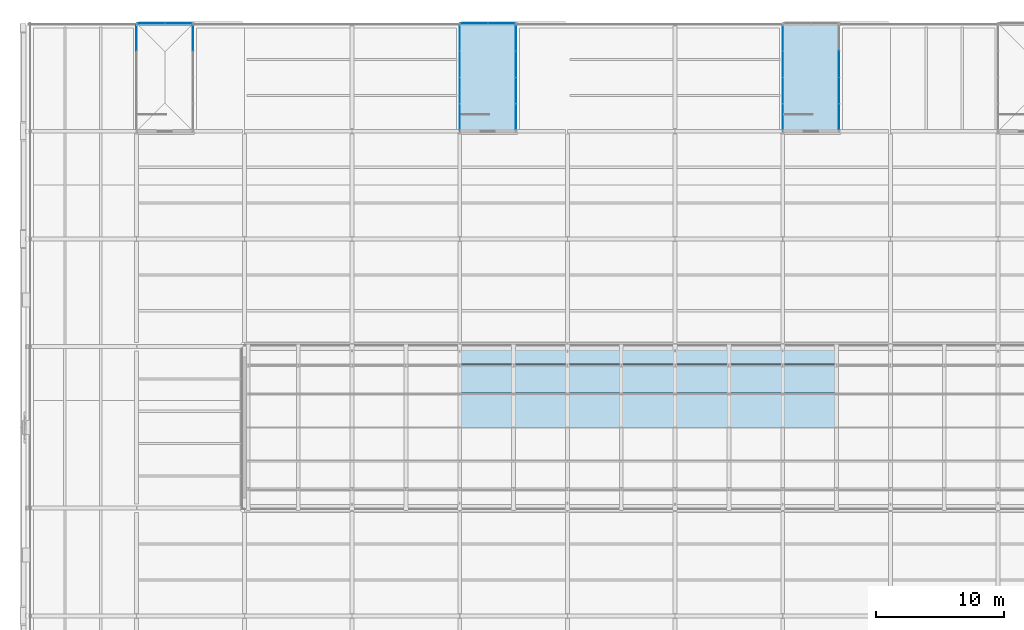
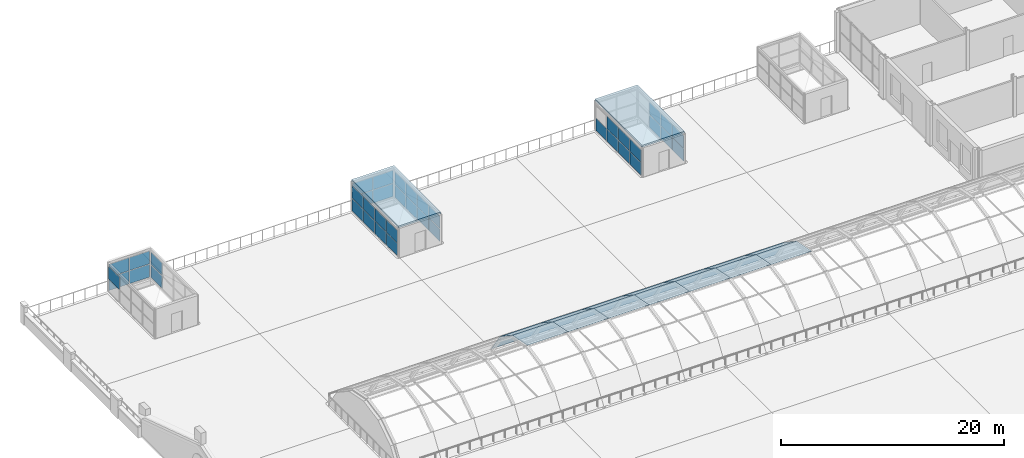
# One storey, part 35 of 58: 61 plates, 2 slabs, 8 elements without a shape of their own.
"""IFC4 building model written with IfcOpenShell, lengths in metres."""

from ifc_helpers import new_model, si_unit, direction, frame, origin, origin_2d, place, context, subcontext, project, spatial, polyline, rectangle, outline, extrude, material, layer, layer_set, type_object, element, aggregate, save


model = new_model("IFC4")

# Units and contexts
model_context = context("Model", 3, precision=1e-05, world=origin(), true_north=direction((0.0, 1.0)))
body_context = subcontext(model_context, "Body", "Model", "MODEL_VIEW")
ifc_project = project(units=[si_unit("LENGTHUNIT", "METRE"), si_unit("AREAUNIT", "SQUARE_METRE"), si_unit("VOLUMEUNIT", "CUBIC_METRE"), si_unit("PLANEANGLEUNIT", "RADIAN"), si_unit("MASSUNIT", "GRAM", prefix="KILO")], contexts=[model_context])

# Site, building, storey
site_placement = place(None, origin())
site = spatial("IfcSite", under=ifc_project, at=site_placement, CompositionType="ELEMENT")
building_placement = place(site_placement, origin())
building = spatial("IfcBuilding", under=site, at=building_placement, Name="Galleria Vessillo Department Store", CompositionType="ELEMENT")
storey_placement = place(building_placement, frame((0.0, 0.0, 31.199951171875)))
storey = spatial("IfcBuildingStorey", under=building, at=storey_placement, Name="L06", CompositionType="ELEMENT", Elevation=31.199951171875)

# Curtain wall, plate
ifc_material_1 = material(Name="Aluminium and glass curtain wall", Category="aluminium")
ifc_layer_1 = layer(ifc_material_1, 0.10009765625)
ifc_layer_set_1 = layer_set([ifc_layer_1], Name="Aluminium and glass curtain wall")
curtain_wall_type = type_object("IfcCurtainWallType", Name="Pavilion curtain wall CW5 2100 module", PredefinedType="NOTDEFINED", material=ifc_layer_set_1)
curtain_wall_1_placement = place(storey_placement, origin())
curtain_wall_1 = element("IfcCurtainWall", 1, at=curtain_wall_1_placement, inside=storey, type_object=curtain_wall_type, Name="Pavilion curtain wall CW5 2100 module PV-ST2-A", PredefinedType="NOTDEFINED")
ifc_material_2 = material(Name="Glass laminated 44.2 low-e", Category="glass")
ifc_layer_2 = layer(ifc_material_2, 0.028076171875)
ifc_layer_set_2 = layer_set([ifc_layer_2], Name="Glass laminated 44.2 low-e")
plate_type_1 = type_object("IfcPlateType", Name="Laminated glass panel 28 mm", PredefinedType="CURTAIN_PANEL", material=ifc_layer_set_2)
plate_1_placement = place(storey_placement, frame((8.39990234375, 61.862548828125, 1.4599609375), z_axis=(0.0, 0.0, 1.0), x_axis=(0.0, 1.0, 0.0)))
plate_1 = element("IfcPlate", 2, at=plate_1_placement, type_object=plate_type_1, Name="CW5 panel 4.2", PredefinedType="CURTAIN_PANEL", context=body_context, shape_type="SweptSolid", body=[
    extrude(rectangle(XDim=1.97509765625, YDim=0.028076171875, at=origin_2d()), origin(), (0.0, 0.0, 1.0), 1.360107421875),
])
aggregate(curtain_wall_1, [plate_1])

# Curtain wall, plates
curtain_wall_2_placement = place(storey_placement, origin())
curtain_wall_2 = element("IfcCurtainWall", 3, at=curtain_wall_2_placement, inside=storey, type_object=curtain_wall_type, Name="Pavilion curtain wall CW5 2100 module PV-ST2-B", PredefinedType="NOTDEFINED")
plate_2_placement = place(storey_placement, frame((12.800048828125, 61.862548828125, 0.0498046875), z_axis=(0.0, 0.0, 1.0), x_axis=(0.0, 1.0, 0.0)))
plate_2 = element("IfcPlate", 4, at=plate_2_placement, type_object=plate_type_1, Name="CW5 panel 4.1", PredefinedType="CURTAIN_PANEL", context=body_context, shape_type="SweptSolid", body=[
    extrude(rectangle(XDim=1.97509765625, YDim=0.028076171875, at=origin_2d()), origin(), (0.0, 0.0, 1.0), 1.360107421875),
])
plate_3_placement = place(storey_placement, frame((12.800048828125, 61.862548828125, 1.4599609375), z_axis=(0.0, 0.0, 1.0), x_axis=(0.0, 1.0, 0.0)))
plate_3 = element("IfcPlate", 5, at=plate_3_placement, type_object=plate_type_1, Name="CW5 panel 4.2", PredefinedType="CURTAIN_PANEL", context=body_context, shape_type="SweptSolid", body=[
    extrude(rectangle(XDim=1.97509765625, YDim=0.028076171875, at=origin_2d()), origin(), (0.0, 0.0, 1.0), 1.360107421875),
])
aggregate(curtain_wall_2, [plate_2, plate_3])

curtain_wall_3_placement = place(storey_placement, origin())
curtain_wall_3 = element("IfcCurtainWall", 6, at=curtain_wall_3_placement, inside=storey, type_object=curtain_wall_type, Name="Pavilion curtain wall CW5 2100 module PV-ST2-F", PredefinedType="NOTDEFINED")
plate_4_placement = place(storey_placement, frame((9.537353515625, 63.0, 0.05029296875), z_axis=(0.0, 0.0, 1.0), x_axis=(1.0, 0.0, 0.0)))
plate_4 = element("IfcPlate", 7, at=plate_4_placement, type_object=plate_type_1, Name="CW5 panel 1.1", PredefinedType="CURTAIN_PANEL", context=body_context, shape_type="SweptSolid", body=[
    extrude(rectangle(XDim=2.074951171875, YDim=0.028076171875, at=origin_2d()), origin(), (0.0, 0.0, 1.0), 1.405029296875),
])
plate_5_placement = place(storey_placement, frame((9.537353515625, 63.0, 1.50537109375), z_axis=(0.0, 0.0, 1.0), x_axis=(1.0, 0.0, 0.0)))
plate_5 = element("IfcPlate", 8, at=plate_5_placement, type_object=plate_type_1, Name="CW5 panel 1.2", PredefinedType="CURTAIN_PANEL", context=body_context, shape_type="SweptSolid", body=[
    extrude(rectangle(XDim=2.074951171875, YDim=0.028076171875, at=origin_2d()), origin(), (0.0, 0.0, 1.0), 1.405029296875),
])
plate_6_placement = place(storey_placement, frame((11.66259765625, 63.0, 0.05029296875), z_axis=(0.0, 0.0, 1.0), x_axis=(1.0, 0.0, 0.0)))
plate_6 = element("IfcPlate", 9, at=plate_6_placement, type_object=plate_type_1, Name="CW5 panel 2.1", PredefinedType="CURTAIN_PANEL", context=body_context, shape_type="SweptSolid", body=[
    extrude(rectangle(XDim=2.074951171875, YDim=0.028076171875, at=origin_2d()), origin(), (0.0, 0.0, 1.0), 1.405029296875),
])
plate_7_placement = place(storey_placement, frame((11.66259765625, 63.0, 1.50537109375), z_axis=(0.0, 0.0, 1.0), x_axis=(1.0, 0.0, 0.0)))
plate_7 = element("IfcPlate", 10, at=plate_7_placement, type_object=plate_type_1, Name="CW5 panel 2.2", PredefinedType="CURTAIN_PANEL", context=body_context, shape_type="SweptSolid", body=[
    extrude(rectangle(XDim=2.074951171875, YDim=0.028076171875, at=origin_2d()), origin(), (0.0, 0.0, 1.0), 1.405029296875),
])
aggregate(curtain_wall_3, [plate_4, plate_5, plate_6, plate_7])

curtain_wall_4_placement = place(storey_placement, origin())
curtain_wall_4 = element("IfcCurtainWall", 11, at=curtain_wall_4_placement, inside=storey, type_object=curtain_wall_type, Name="Pavilion curtain wall CW5 2100 module PV-ST4-A", PredefinedType="NOTDEFINED")
plate_8_placement = place(storey_placement, frame((33.60009765625, 55.737548828125, 0.0498046875), z_axis=(0.0, 0.0, 1.0), x_axis=(0.0, 1.0, 0.0)))
plate_8 = element("IfcPlate", 12, at=plate_8_placement, type_object=plate_type_1, Name="CW5 panel 1.1", PredefinedType="CURTAIN_PANEL", context=body_context, shape_type="SweptSolid", body=[
    extrude(rectangle(XDim=1.97509765625, YDim=0.028076171875, at=origin_2d()), origin(), (0.0, 0.0, 1.0), 1.360107421875),
])
plate_9_placement = place(storey_placement, frame((33.60009765625, 55.737548828125, 1.4599609375), z_axis=(0.0, 0.0, 1.0), x_axis=(0.0, 1.0, 0.0)))
plate_9 = element("IfcPlate", 13, at=plate_9_placement, type_object=plate_type_1, Name="CW5 panel 1.2", PredefinedType="CURTAIN_PANEL", context=body_context, shape_type="SweptSolid", body=[
    extrude(rectangle(XDim=1.97509765625, YDim=0.028076171875, at=origin_2d()), origin(), (0.0, 0.0, 1.0), 1.360107421875),
])
plate_10_placement = place(storey_placement, frame((33.60009765625, 57.775146484375, 0.0498046875), z_axis=(0.0, 0.0, 1.0), x_axis=(0.0, 1.0, 0.0)))
plate_10 = element("IfcPlate", 14, at=plate_10_placement, type_object=plate_type_1, Name="CW5 panel 2.1", PredefinedType="CURTAIN_PANEL", context=body_context, shape_type="SweptSolid", body=[
    extrude(rectangle(XDim=2.0, YDim=0.028076171875, at=origin_2d()), origin(), (0.0, 0.0, 1.0), 1.360107421875),
])
plate_11_placement = place(storey_placement, frame((33.60009765625, 57.775146484375, 1.4599609375), z_axis=(0.0, 0.0, 1.0), x_axis=(0.0, 1.0, 0.0)))
plate_11 = element("IfcPlate", 15, at=plate_11_placement, type_object=plate_type_1, Name="CW5 panel 2.2", PredefinedType="CURTAIN_PANEL", context=body_context, shape_type="SweptSolid", body=[
    extrude(rectangle(XDim=2.0, YDim=0.028076171875, at=origin_2d()), origin(), (0.0, 0.0, 1.0), 1.360107421875),
])
plate_12_placement = place(storey_placement, frame((33.60009765625, 59.824951171875, 0.0498046875), z_axis=(0.0, 0.0, 1.0), x_axis=(0.0, 1.0, 0.0)))
plate_12 = element("IfcPlate", 16, at=plate_12_placement, type_object=plate_type_1, Name="CW5 panel 3.1", PredefinedType="CURTAIN_PANEL", context=body_context, shape_type="SweptSolid", body=[
    extrude(rectangle(XDim=2.0, YDim=0.028076171875, at=origin_2d()), origin(), (0.0, 0.0, 1.0), 1.360107421875),
])
plate_13_placement = place(storey_placement, frame((33.60009765625, 59.824951171875, 1.4599609375), z_axis=(0.0, 0.0, 1.0), x_axis=(0.0, 1.0, 0.0)))
plate_13 = element("IfcPlate", 17, at=plate_13_placement, type_object=plate_type_1, Name="CW5 panel 3.2", PredefinedType="CURTAIN_PANEL", context=body_context, shape_type="SweptSolid", body=[
    extrude(rectangle(XDim=2.0, YDim=0.028076171875, at=origin_2d()), origin(), (0.0, 0.0, 1.0), 1.360107421875),
])
plate_14_placement = place(storey_placement, frame((33.60009765625, 61.862548828125, 0.0498046875), z_axis=(0.0, 0.0, 1.0), x_axis=(0.0, 1.0, 0.0)))
plate_14 = element("IfcPlate", 18, at=plate_14_placement, type_object=plate_type_1, Name="CW5 panel 4.1", PredefinedType="CURTAIN_PANEL", context=body_context, shape_type="SweptSolid", body=[
    extrude(rectangle(XDim=1.97509765625, YDim=0.028076171875, at=origin_2d()), origin(), (0.0, 0.0, 1.0), 1.360107421875),
])
plate_15_placement = place(storey_placement, frame((33.60009765625, 61.862548828125, 1.4599609375), z_axis=(0.0, 0.0, 1.0), x_axis=(0.0, 1.0, 0.0)))
plate_15 = element("IfcPlate", 19, at=plate_15_placement, type_object=plate_type_1, Name="CW5 panel 4.2", PredefinedType="CURTAIN_PANEL", context=body_context, shape_type="SweptSolid", body=[
    extrude(rectangle(XDim=1.97509765625, YDim=0.028076171875, at=origin_2d()), origin(), (0.0, 0.0, 1.0), 1.360107421875),
])
aggregate(curtain_wall_4, [plate_8, plate_9, plate_10, plate_11, plate_12, plate_13, plate_14, plate_15])

curtain_wall_5_placement = place(storey_placement, origin())
curtain_wall_5 = element("IfcCurtainWall", 20, at=curtain_wall_5_placement, inside=storey, type_object=curtain_wall_type, Name="Pavilion curtain wall CW5 2100 module PV-ST4-B", PredefinedType="NOTDEFINED")
plate_16_placement = place(storey_placement, frame((38.0, 55.737548828125, 0.0498046875), z_axis=(0.0, 0.0, 1.0), x_axis=(0.0, 1.0, 0.0)))
plate_16 = element("IfcPlate", 21, at=plate_16_placement, type_object=plate_type_1, Name="CW5 panel 1.1", PredefinedType="CURTAIN_PANEL", context=body_context, shape_type="SweptSolid", body=[
    extrude(rectangle(XDim=1.97509765625, YDim=0.028076171875, at=origin_2d()), origin(), (0.0, 0.0, 1.0), 1.360107421875),
])
plate_17_placement = place(storey_placement, frame((38.0, 55.737548828125, 1.4599609375), z_axis=(0.0, 0.0, 1.0), x_axis=(0.0, 1.0, 0.0)))
plate_17 = element("IfcPlate", 22, at=plate_17_placement, type_object=plate_type_1, Name="CW5 panel 1.2", PredefinedType="CURTAIN_PANEL", context=body_context, shape_type="SweptSolid", body=[
    extrude(rectangle(XDim=1.97509765625, YDim=0.028076171875, at=origin_2d()), origin(), (0.0, 0.0, 1.0), 1.360107421875),
])
plate_18_placement = place(storey_placement, frame((38.0, 57.775146484375, 0.0498046875), z_axis=(0.0, 0.0, 1.0), x_axis=(0.0, 1.0, 0.0)))
plate_18 = element("IfcPlate", 23, at=plate_18_placement, type_object=plate_type_1, Name="CW5 panel 2.1", PredefinedType="CURTAIN_PANEL", context=body_context, shape_type="SweptSolid", body=[
    extrude(rectangle(XDim=2.0, YDim=0.028076171875, at=origin_2d()), origin(), (0.0, 0.0, 1.0), 1.360107421875),
])
plate_19_placement = place(storey_placement, frame((38.0, 57.775146484375, 1.4599609375), z_axis=(0.0, 0.0, 1.0), x_axis=(0.0, 1.0, 0.0)))
plate_19 = element("IfcPlate", 24, at=plate_19_placement, type_object=plate_type_1, Name="CW5 panel 2.2", PredefinedType="CURTAIN_PANEL", context=body_context, shape_type="SweptSolid", body=[
    extrude(rectangle(XDim=2.0, YDim=0.028076171875, at=origin_2d()), origin(), (0.0, 0.0, 1.0), 1.360107421875),
])
plate_20_placement = place(storey_placement, frame((38.0, 59.824951171875, 0.0498046875), z_axis=(0.0, 0.0, 1.0), x_axis=(0.0, 1.0, 0.0)))
plate_20 = element("IfcPlate", 25, at=plate_20_placement, type_object=plate_type_1, Name="CW5 panel 3.1", PredefinedType="CURTAIN_PANEL", context=body_context, shape_type="SweptSolid", body=[
    extrude(rectangle(XDim=2.0, YDim=0.028076171875, at=origin_2d()), origin(), (0.0, 0.0, 1.0), 1.360107421875),
])
plate_21_placement = place(storey_placement, frame((38.0, 59.824951171875, 1.4599609375), z_axis=(0.0, 0.0, 1.0), x_axis=(0.0, 1.0, 0.0)))
plate_21 = element("IfcPlate", 26, at=plate_21_placement, type_object=plate_type_1, Name="CW5 panel 3.2", PredefinedType="CURTAIN_PANEL", context=body_context, shape_type="SweptSolid", body=[
    extrude(rectangle(XDim=2.0, YDim=0.028076171875, at=origin_2d()), origin(), (0.0, 0.0, 1.0), 1.360107421875),
])
plate_22_placement = place(storey_placement, frame((38.0, 61.862548828125, 0.0498046875), z_axis=(0.0, 0.0, 1.0), x_axis=(0.0, 1.0, 0.0)))
plate_22 = element("IfcPlate", 27, at=plate_22_placement, type_object=plate_type_1, Name="CW5 panel 4.1", PredefinedType="CURTAIN_PANEL", context=body_context, shape_type="SweptSolid", body=[
    extrude(rectangle(XDim=1.97509765625, YDim=0.028076171875, at=origin_2d()), origin(), (0.0, 0.0, 1.0), 1.360107421875),
])
plate_23_placement = place(storey_placement, frame((38.0, 61.862548828125, 1.4599609375), z_axis=(0.0, 0.0, 1.0), x_axis=(0.0, 1.0, 0.0)))
plate_23 = element("IfcPlate", 28, at=plate_23_placement, type_object=plate_type_1, Name="CW5 panel 4.2", PredefinedType="CURTAIN_PANEL", context=body_context, shape_type="SweptSolid", body=[
    extrude(rectangle(XDim=1.97509765625, YDim=0.028076171875, at=origin_2d()), origin(), (0.0, 0.0, 1.0), 1.360107421875),
])
aggregate(curtain_wall_5, [plate_16, plate_17, plate_18, plate_19, plate_20, plate_21, plate_22, plate_23])

curtain_wall_6_placement = place(storey_placement, origin())
curtain_wall_6 = element("IfcCurtainWall", 29, at=curtain_wall_6_placement, inside=storey, type_object=curtain_wall_type, Name="Pavilion curtain wall CW5 2100 module PV-ST4-F", PredefinedType="NOTDEFINED")
plate_24_placement = place(storey_placement, frame((34.737548828125, 63.0, 0.05029296875), z_axis=(0.0, 0.0, 1.0), x_axis=(1.0, 0.0, 0.0)))
plate_24 = element("IfcPlate", 30, at=plate_24_placement, type_object=plate_type_1, Name="CW5 panel 1.1", PredefinedType="CURTAIN_PANEL", context=body_context, shape_type="SweptSolid", body=[
    extrude(rectangle(XDim=2.074951171875, YDim=0.028076171875, at=origin_2d()), origin(), (0.0, 0.0, 1.0), 1.405029296875),
])
plate_25_placement = place(storey_placement, frame((34.737548828125, 63.0, 1.50537109375), z_axis=(0.0, 0.0, 1.0), x_axis=(1.0, 0.0, 0.0)))
plate_25 = element("IfcPlate", 31, at=plate_25_placement, type_object=plate_type_1, Name="CW5 panel 1.2", PredefinedType="CURTAIN_PANEL", context=body_context, shape_type="SweptSolid", body=[
    extrude(rectangle(XDim=2.074951171875, YDim=0.028076171875, at=origin_2d()), origin(), (0.0, 0.0, 1.0), 1.405029296875),
])
plate_26_placement = place(storey_placement, frame((36.862548828125, 63.0, 0.05029296875), z_axis=(0.0, 0.0, 1.0), x_axis=(1.0, 0.0, 0.0)))
plate_26 = element("IfcPlate", 32, at=plate_26_placement, type_object=plate_type_1, Name="CW5 panel 2.1", PredefinedType="CURTAIN_PANEL", context=body_context, shape_type="SweptSolid", body=[
    extrude(rectangle(XDim=2.074951171875, YDim=0.028076171875, at=origin_2d()), origin(), (0.0, 0.0, 1.0), 1.405029296875),
])
plate_27_placement = place(storey_placement, frame((36.862548828125, 63.0, 1.50537109375), z_axis=(0.0, 0.0, 1.0), x_axis=(1.0, 0.0, 0.0)))
plate_27 = element("IfcPlate", 33, at=plate_27_placement, type_object=plate_type_1, Name="CW5 panel 2.2", PredefinedType="CURTAIN_PANEL", context=body_context, shape_type="SweptSolid", body=[
    extrude(rectangle(XDim=2.074951171875, YDim=0.028076171875, at=origin_2d()), origin(), (0.0, 0.0, 1.0), 1.405029296875),
])
aggregate(curtain_wall_6, [plate_24, plate_25, plate_26, plate_27])

curtain_wall_7_placement = place(storey_placement, origin())
curtain_wall_7 = element("IfcCurtainWall", 34, at=curtain_wall_7_placement, inside=storey, type_object=curtain_wall_type, Name="Pavilion curtain wall CW5 2100 module PV-ST11-A", PredefinedType="NOTDEFINED")
plate_28_placement = place(storey_placement, frame((58.800048828125, 55.737548828125, 0.0498046875), z_axis=(0.0, 0.0, 1.0), x_axis=(0.0, 1.0, 0.0)))
plate_28 = element("IfcPlate", 35, at=plate_28_placement, type_object=plate_type_1, Name="CW5 panel 1.1", PredefinedType="CURTAIN_PANEL", context=body_context, shape_type="SweptSolid", body=[
    extrude(rectangle(XDim=1.97509765625, YDim=0.028076171875, at=origin_2d()), origin(), (0.0, 0.0, 1.0), 1.360107421875),
])
plate_29_placement = place(storey_placement, frame((58.800048828125, 55.737548828125, 1.4599609375), z_axis=(0.0, 0.0, 1.0), x_axis=(0.0, 1.0, 0.0)))
plate_29 = element("IfcPlate", 36, at=plate_29_placement, type_object=plate_type_1, Name="CW5 panel 1.2", PredefinedType="CURTAIN_PANEL", context=body_context, shape_type="SweptSolid", body=[
    extrude(rectangle(XDim=1.97509765625, YDim=0.028076171875, at=origin_2d()), origin(), (0.0, 0.0, 1.0), 1.360107421875),
])
plate_30_placement = place(storey_placement, frame((58.800048828125, 57.775146484375, 0.0498046875), z_axis=(0.0, 0.0, 1.0), x_axis=(0.0, 1.0, 0.0)))
plate_30 = element("IfcPlate", 37, at=plate_30_placement, type_object=plate_type_1, Name="CW5 panel 2.1", PredefinedType="CURTAIN_PANEL", context=body_context, shape_type="SweptSolid", body=[
    extrude(rectangle(XDim=2.0, YDim=0.028076171875, at=origin_2d()), origin(), (0.0, 0.0, 1.0), 1.360107421875),
])
plate_31_placement = place(storey_placement, frame((58.800048828125, 57.775146484375, 1.4599609375), z_axis=(0.0, 0.0, 1.0), x_axis=(0.0, 1.0, 0.0)))
plate_31 = element("IfcPlate", 38, at=plate_31_placement, type_object=plate_type_1, Name="CW5 panel 2.2", PredefinedType="CURTAIN_PANEL", context=body_context, shape_type="SweptSolid", body=[
    extrude(rectangle(XDim=2.0, YDim=0.028076171875, at=origin_2d()), origin(), (0.0, 0.0, 1.0), 1.360107421875),
])
plate_32_placement = place(storey_placement, frame((58.800048828125, 59.824951171875, 0.0498046875), z_axis=(0.0, 0.0, 1.0), x_axis=(0.0, 1.0, 0.0)))
plate_32 = element("IfcPlate", 39, at=plate_32_placement, type_object=plate_type_1, Name="CW5 panel 3.1", PredefinedType="CURTAIN_PANEL", context=body_context, shape_type="SweptSolid", body=[
    extrude(rectangle(XDim=2.0, YDim=0.028076171875, at=origin_2d()), origin(), (0.0, 0.0, 1.0), 1.360107421875),
])
plate_33_placement = place(storey_placement, frame((58.800048828125, 59.824951171875, 1.4599609375), z_axis=(0.0, 0.0, 1.0), x_axis=(0.0, 1.0, 0.0)))
plate_33 = element("IfcPlate", 40, at=plate_33_placement, type_object=plate_type_1, Name="CW5 panel 3.2", PredefinedType="CURTAIN_PANEL", context=body_context, shape_type="SweptSolid", body=[
    extrude(rectangle(XDim=2.0, YDim=0.028076171875, at=origin_2d()), origin(), (0.0, 0.0, 1.0), 1.360107421875),
])
plate_34_placement = place(storey_placement, frame((58.800048828125, 61.862548828125, 0.0498046875), z_axis=(0.0, 0.0, 1.0), x_axis=(0.0, 1.0, 0.0)))
plate_34 = element("IfcPlate", 41, at=plate_34_placement, type_object=plate_type_1, Name="CW5 panel 4.1", PredefinedType="CURTAIN_PANEL", context=body_context, shape_type="SweptSolid", body=[
    extrude(rectangle(XDim=1.97509765625, YDim=0.028076171875, at=origin_2d()), origin(), (0.0, 0.0, 1.0), 1.360107421875),
])
aggregate(curtain_wall_7, [plate_28, plate_29, plate_30, plate_31, plate_32, plate_33, plate_34])

curtain_wall_8_placement = place(storey_placement, origin())
curtain_wall_8 = element("IfcCurtainWall", 42, at=curtain_wall_8_placement, inside=storey, type_object=curtain_wall_type, Name="Pavilion curtain wall CW5 2100 module PV-ST11-B", PredefinedType="NOTDEFINED")
plate_35_placement = place(storey_placement, frame((63.199951171875, 55.737548828125, 0.0498046875), z_axis=(0.0, 0.0, 1.0), x_axis=(0.0, 1.0, 0.0)))
plate_35 = element("IfcPlate", 43, at=plate_35_placement, type_object=plate_type_1, Name="CW5 panel 1.1", PredefinedType="CURTAIN_PANEL", context=body_context, shape_type="SweptSolid", body=[
    extrude(rectangle(XDim=1.97509765625, YDim=0.028076171875, at=origin_2d()), origin(), (0.0, 0.0, 1.0), 1.360107421875),
])
plate_36_placement = place(storey_placement, frame((63.199951171875, 55.737548828125, 1.4599609375), z_axis=(0.0, 0.0, 1.0), x_axis=(0.0, 1.0, 0.0)))
plate_36 = element("IfcPlate", 44, at=plate_36_placement, type_object=plate_type_1, Name="CW5 panel 1.2", PredefinedType="CURTAIN_PANEL", context=body_context, shape_type="SweptSolid", body=[
    extrude(rectangle(XDim=1.97509765625, YDim=0.028076171875, at=origin_2d()), origin(), (0.0, 0.0, 1.0), 1.360107421875),
])
plate_37_placement = place(storey_placement, frame((63.199951171875, 57.775146484375, 0.0498046875), z_axis=(0.0, 0.0, 1.0), x_axis=(0.0, 1.0, 0.0)))
plate_37 = element("IfcPlate", 45, at=plate_37_placement, type_object=plate_type_1, Name="CW5 panel 2.1", PredefinedType="CURTAIN_PANEL", context=body_context, shape_type="SweptSolid", body=[
    extrude(rectangle(XDim=2.0, YDim=0.028076171875, at=origin_2d()), origin(), (0.0, 0.0, 1.0), 1.360107421875),
])
plate_38_placement = place(storey_placement, frame((63.199951171875, 57.775146484375, 1.4599609375), z_axis=(0.0, 0.0, 1.0), x_axis=(0.0, 1.0, 0.0)))
plate_38 = element("IfcPlate", 46, at=plate_38_placement, type_object=plate_type_1, Name="CW5 panel 2.2", PredefinedType="CURTAIN_PANEL", context=body_context, shape_type="SweptSolid", body=[
    extrude(rectangle(XDim=2.0, YDim=0.028076171875, at=origin_2d()), origin(), (0.0, 0.0, 1.0), 1.360107421875),
])
plate_39_placement = place(storey_placement, frame((63.199951171875, 59.824951171875, 0.0498046875), z_axis=(0.0, 0.0, 1.0), x_axis=(0.0, 1.0, 0.0)))
plate_39 = element("IfcPlate", 47, at=plate_39_placement, type_object=plate_type_1, Name="CW5 panel 3.1", PredefinedType="CURTAIN_PANEL", context=body_context, shape_type="SweptSolid", body=[
    extrude(rectangle(XDim=2.0, YDim=0.028076171875, at=origin_2d()), origin(), (0.0, 0.0, 1.0), 1.360107421875),
])
plate_40_placement = place(storey_placement, frame((63.199951171875, 59.824951171875, 1.4599609375), z_axis=(0.0, 0.0, 1.0), x_axis=(0.0, 1.0, 0.0)))
plate_40 = element("IfcPlate", 48, at=plate_40_placement, type_object=plate_type_1, Name="CW5 panel 3.2", PredefinedType="CURTAIN_PANEL", context=body_context, shape_type="SweptSolid", body=[
    extrude(rectangle(XDim=2.0, YDim=0.028076171875, at=origin_2d()), origin(), (0.0, 0.0, 1.0), 1.360107421875),
])
aggregate(curtain_wall_8, [plate_35, plate_36, plate_37, plate_38, plate_39, plate_40])

# Plates
ifc_material_3 = material(Name="Glass laminated 44.2 low-e", Category="glass")
ifc_layer_3 = layer(ifc_material_3, 0.030029296875)
ifc_layer_set_3 = layer_set([ifc_layer_3], Name="Glass laminated 44.2 low-e")
plate_type_2 = type_object("IfcPlateType", Name="Laminated vault glazing panel 30 mm", PredefinedType="SHEET", material=ifc_layer_set_3)
plate_41_placement = place(storey_placement, frame((33.60009765625, 31.5029296875, 4.377685546875), z_axis=(0.0, 0.194649660912, 0.980872830446), x_axis=(1.0, 0.0, 0.0)))
element("IfcPlate", 49, at=plate_41_placement, inside=storey, type_object=plate_type_2, Name="Vault glazing panel 5.4", PredefinedType="SHEET", context=body_context, shape_type="SweptSolid", body=[
    extrude(outline(polyline([(0.0, 0.0), (4.199951171875, 0.0), (4.199951171875, 2.7217368567149305), (0.0, 2.7217368567149305), (0.0, 0.0)])), origin(), (0.0, 0.0, -1.0), 0.030029296875),
])
plate_42_placement = place(storey_placement, frame((33.60009765625, 34.177978515625, 3.845703125), z_axis=(0.0, 0.554720893307, 0.832036495911), x_axis=(1.0, 0.0, 0.0)))
element("IfcPlate", 50, at=plate_42_placement, inside=storey, type_object=plate_type_2, Name="Vault glazing panel 5.5", PredefinedType="SHEET", context=body_context, shape_type="SweptSolid", body=[
    extrude(outline(polyline([(0.0, 0.0), (4.199951171875, 0.0), (4.199951171875, 2.722107250408877), (0.0, 2.722107250408877), (0.0, 0.0)])), origin(), (0.0, 0.0, -1.0), 0.030029296875),
])
plate_43_placement = place(storey_placement, frame((33.60009765625, 36.447021484375, 2.33154296875), z_axis=(0.0, 0.830525222922, 0.556981017711), x_axis=(1.0, 0.0, 0.0)))
element("IfcPlate", 51, at=plate_43_placement, inside=storey, type_object=plate_type_2, Name="Vault glazing panel 5.6", PredefinedType="SHEET", context=body_context, shape_type="SweptSolid", body=[
    extrude(outline(polyline([(0.0, 0.0), (4.199951171875, 0.0), (4.199951171875, 2.690021684729376), (0.0, 2.690021684729376), (0.0, 0.0)])), origin(), (0.0, 0.0, -1.0), 0.030029296875),
])
plate_44_placement = place(storey_placement, frame((37.800048828125, 31.5029296875, 4.377685546875), z_axis=(0.0, 0.194649660912, 0.980872830446), x_axis=(1.0, 0.0, 0.0)))
element("IfcPlate", 52, at=plate_44_placement, inside=storey, type_object=plate_type_2, Name="Vault glazing panel 6.4", PredefinedType="SHEET", context=body_context, shape_type="SweptSolid", body=[
    extrude(outline(polyline([(0.0, 0.0), (4.199951171875, 0.0), (4.199951171875, 2.7217368567149305), (0.0, 2.7217368567149305), (0.0, 0.0)])), origin(), (0.0, 0.0, -1.0), 0.030029296875),
])
plate_45_placement = place(storey_placement, frame((37.800048828125, 34.177978515625, 3.845703125), z_axis=(0.0, 0.554720893307, 0.832036495911), x_axis=(1.0, 0.0, 0.0)))
element("IfcPlate", 53, at=plate_45_placement, inside=storey, type_object=plate_type_2, Name="Vault glazing panel 6.5", PredefinedType="SHEET", context=body_context, shape_type="SweptSolid", body=[
    extrude(outline(polyline([(0.0, 0.0), (4.199951171875, 0.0), (4.199951171875, 2.722107250408877), (0.0, 2.722107250408877), (0.0, 0.0)])), origin(), (0.0, 0.0, -1.0), 0.030029296875),
])
plate_46_placement = place(storey_placement, frame((37.800048828125, 36.447021484375, 2.33154296875), z_axis=(0.0, 0.830525222922, 0.556981017711), x_axis=(1.0, 0.0, 0.0)))
element("IfcPlate", 54, at=plate_46_placement, inside=storey, type_object=plate_type_2, Name="Vault glazing panel 6.6", PredefinedType="SHEET", context=body_context, shape_type="SweptSolid", body=[
    extrude(outline(polyline([(0.0, 0.0), (4.199951171875, 0.0), (4.199951171875, 2.690021684729376), (0.0, 2.690021684729376), (0.0, 0.0)])), origin(), (0.0, 0.0, -1.0), 0.030029296875),
])
plate_47_placement = place(storey_placement, frame((42.0, 31.5029296875, 4.377685546875), z_axis=(0.0, 0.194649660912, 0.980872830446), x_axis=(1.0, 0.0, 0.0)))
element("IfcPlate", 55, at=plate_47_placement, inside=storey, type_object=plate_type_2, Name="Vault glazing panel 7.4", PredefinedType="SHEET", context=body_context, shape_type="SweptSolid", body=[
    extrude(outline(polyline([(0.0, 0.0), (4.199951171875, 0.0), (4.199951171875, 2.7217368567149305), (0.0, 2.7217368567149305), (0.0, 0.0)])), origin(), (0.0, 0.0, -1.0), 0.030029296875),
])
plate_48_placement = place(storey_placement, frame((42.0, 34.177978515625, 3.845703125), z_axis=(0.0, 0.554720893307, 0.832036495911), x_axis=(1.0, 0.0, 0.0)))
element("IfcPlate", 56, at=plate_48_placement, inside=storey, type_object=plate_type_2, Name="Vault glazing panel 7.5", PredefinedType="SHEET", context=body_context, shape_type="SweptSolid", body=[
    extrude(outline(polyline([(0.0, 0.0), (4.199951171875, 0.0), (4.199951171875, 2.722107250408877), (0.0, 2.722107250408877), (0.0, 0.0)])), origin(), (0.0, 0.0, -1.0), 0.030029296875),
])
plate_49_placement = place(storey_placement, frame((42.0, 36.447021484375, 2.33154296875), z_axis=(0.0, 0.830525222922, 0.556981017711), x_axis=(1.0, 0.0, 0.0)))
element("IfcPlate", 57, at=plate_49_placement, inside=storey, type_object=plate_type_2, Name="Vault glazing panel 7.6", PredefinedType="SHEET", context=body_context, shape_type="SweptSolid", body=[
    extrude(outline(polyline([(0.0, 0.0), (4.199951171875, 0.0), (4.199951171875, 2.690021684729376), (0.0, 2.690021684729376), (0.0, 0.0)])), origin(), (0.0, 0.0, -1.0), 0.030029296875),
])
plate_50_placement = place(storey_placement, frame((46.199951171875, 31.5029296875, 4.377685546875), z_axis=(0.0, 0.194649660912, 0.980872830446), x_axis=(1.0, 0.0, 0.0)))
element("IfcPlate", 58, at=plate_50_placement, inside=storey, type_object=plate_type_2, Name="Vault glazing panel 8.4", PredefinedType="SHEET", context=body_context, shape_type="SweptSolid", body=[
    extrude(outline(polyline([(0.0, 0.0), (4.199951171875, 0.0), (4.199951171875, 2.7217368567149305), (0.0, 2.7217368567149305), (0.0, 0.0)])), origin(), (0.0, 0.0, -1.0), 0.030029296875),
])
plate_51_placement = place(storey_placement, frame((46.199951171875, 34.177978515625, 3.845703125), z_axis=(0.0, 0.554720893307, 0.832036495911), x_axis=(1.0, 0.0, 0.0)))
element("IfcPlate", 59, at=plate_51_placement, inside=storey, type_object=plate_type_2, Name="Vault glazing panel 8.5", PredefinedType="SHEET", context=body_context, shape_type="SweptSolid", body=[
    extrude(outline(polyline([(0.0, 0.0), (4.199951171875, 0.0), (4.199951171875, 2.722107250408877), (0.0, 2.722107250408877), (0.0, 0.0)])), origin(), (0.0, 0.0, -1.0), 0.030029296875),
])
plate_52_placement = place(storey_placement, frame((46.199951171875, 36.447021484375, 2.33154296875), z_axis=(0.0, 0.830525222922, 0.556981017711), x_axis=(1.0, 0.0, 0.0)))
element("IfcPlate", 60, at=plate_52_placement, inside=storey, type_object=plate_type_2, Name="Vault glazing panel 8.6", PredefinedType="SHEET", context=body_context, shape_type="SweptSolid", body=[
    extrude(outline(polyline([(0.0, 0.0), (4.199951171875, 0.0), (4.199951171875, 2.690021684729376), (0.0, 2.690021684729376), (0.0, 0.0)])), origin(), (0.0, 0.0, -1.0), 0.030029296875),
])
plate_53_placement = place(storey_placement, frame((50.39990234375, 31.5029296875, 4.377685546875), z_axis=(0.0, 0.194649660912, 0.980872830446), x_axis=(1.0, 0.0, 0.0)))
element("IfcPlate", 61, at=plate_53_placement, inside=storey, type_object=plate_type_2, Name="Vault glazing panel 9.4", PredefinedType="SHEET", context=body_context, shape_type="SweptSolid", body=[
    extrude(outline(polyline([(0.0, 0.0), (4.2001953125, 0.0), (4.2001953125, 2.7217368567149305), (0.0, 2.7217368567149305), (0.0, 0.0)])), origin(), (0.0, 0.0, -1.0), 0.030029296875),
])
plate_54_placement = place(storey_placement, frame((50.39990234375, 34.177978515625, 3.845703125), z_axis=(0.0, 0.554720893307, 0.832036495911), x_axis=(1.0, 0.0, 0.0)))
element("IfcPlate", 62, at=plate_54_placement, inside=storey, type_object=plate_type_2, Name="Vault glazing panel 9.5", PredefinedType="SHEET", context=body_context, shape_type="SweptSolid", body=[
    extrude(outline(polyline([(0.0, 0.0), (4.2001953125, 0.0), (4.2001953125, 2.722107250408877), (0.0, 2.722107250408877), (0.0, 0.0)])), origin(), (0.0, 0.0, -1.0), 0.030029296875),
])
plate_55_placement = place(storey_placement, frame((50.39990234375, 36.447021484375, 2.33154296875), z_axis=(0.0, 0.830525222922, 0.556981017711), x_axis=(1.0, 0.0, 0.0)))
element("IfcPlate", 63, at=plate_55_placement, inside=storey, type_object=plate_type_2, Name="Vault glazing panel 9.6", PredefinedType="SHEET", context=body_context, shape_type="SweptSolid", body=[
    extrude(outline(polyline([(0.0, 0.0), (4.2001953125, 0.0), (4.2001953125, 2.690021684729376), (0.0, 2.690021684729376), (0.0, 0.0)])), origin(), (0.0, 0.0, -1.0), 0.030029296875),
])
plate_56_placement = place(storey_placement, frame((54.60009765625, 31.5029296875, 4.377685546875), z_axis=(0.0, 0.194649660912, 0.980872830446), x_axis=(1.0, 0.0, 0.0)))
element("IfcPlate", 64, at=plate_56_placement, inside=storey, type_object=plate_type_2, Name="Vault glazing panel 10.4", PredefinedType="SHEET", context=body_context, shape_type="SweptSolid", body=[
    extrude(outline(polyline([(0.0, 0.0), (4.199951171875, 0.0), (4.199951171875, 2.7217368567149305), (0.0, 2.7217368567149305), (0.0, 0.0)])), origin(), (0.0, 0.0, -1.0), 0.030029296875),
])
plate_57_placement = place(storey_placement, frame((54.60009765625, 34.177978515625, 3.845703125), z_axis=(0.0, 0.554720893307, 0.832036495911), x_axis=(1.0, 0.0, 0.0)))
element("IfcPlate", 65, at=plate_57_placement, inside=storey, type_object=plate_type_2, Name="Vault glazing panel 10.5", PredefinedType="SHEET", context=body_context, shape_type="SweptSolid", body=[
    extrude(outline(polyline([(0.0, 0.0), (4.199951171875, 0.0), (4.199951171875, 2.722107250408877), (0.0, 2.722107250408877), (0.0, 0.0)])), origin(), (0.0, 0.0, -1.0), 0.030029296875),
])
plate_58_placement = place(storey_placement, frame((54.60009765625, 36.447021484375, 2.33154296875), z_axis=(0.0, 0.830525222922, 0.556981017711), x_axis=(1.0, 0.0, 0.0)))
element("IfcPlate", 66, at=plate_58_placement, inside=storey, type_object=plate_type_2, Name="Vault glazing panel 10.6", PredefinedType="SHEET", context=body_context, shape_type="SweptSolid", body=[
    extrude(outline(polyline([(0.0, 0.0), (4.199951171875, 0.0), (4.199951171875, 2.690021684729376), (0.0, 2.690021684729376), (0.0, 0.0)])), origin(), (0.0, 0.0, -1.0), 0.030029296875),
])
plate_59_placement = place(storey_placement, frame((58.800048828125, 31.5029296875, 4.377685546875), z_axis=(0.0, 0.194649660912, 0.980872830446), x_axis=(1.0, 0.0, 0.0)))
element("IfcPlate", 67, at=plate_59_placement, inside=storey, type_object=plate_type_2, Name="Vault glazing panel 11.4", PredefinedType="SHEET", context=body_context, shape_type="SweptSolid", body=[
    extrude(outline(polyline([(0.0, 0.0), (4.199951171875, 0.0), (4.199951171875, 2.7217368567149305), (0.0, 2.7217368567149305), (0.0, 0.0)])), origin(), (0.0, 0.0, -1.0), 0.030029296875),
])
plate_60_placement = place(storey_placement, frame((58.800048828125, 34.177978515625, 3.845703125), z_axis=(0.0, 0.554720893307, 0.832036495911), x_axis=(1.0, 0.0, 0.0)))
element("IfcPlate", 68, at=plate_60_placement, inside=storey, type_object=plate_type_2, Name="Vault glazing panel 11.5", PredefinedType="SHEET", context=body_context, shape_type="SweptSolid", body=[
    extrude(outline(polyline([(0.0, 0.0), (4.199951171875, 0.0), (4.199951171875, 2.722107250408877), (0.0, 2.722107250408877), (0.0, 0.0)])), origin(), (0.0, 0.0, -1.0), 0.030029296875),
])
plate_61_placement = place(storey_placement, frame((58.800048828125, 36.447021484375, 2.33154296875), z_axis=(0.0, 0.830525222922, 0.556981017711), x_axis=(1.0, 0.0, 0.0)))
element("IfcPlate", 69, at=plate_61_placement, inside=storey, type_object=plate_type_2, Name="Vault glazing panel 11.6", PredefinedType="SHEET", context=body_context, shape_type="SweptSolid", body=[
    extrude(outline(polyline([(0.0, 0.0), (4.199951171875, 0.0), (4.199951171875, 2.690021684729376), (0.0, 2.690021684729376), (0.0, 0.0)])), origin(), (0.0, 0.0, -1.0), 0.030029296875),
])

# Slabs
ifc_material_4 = material(Name="Concrete C32/40 reinforced", Category="concrete")
ifc_layer_4 = layer(ifc_material_4, 0.199951171875)
ifc_layer_set_4 = layer_set([ifc_layer_4], Name="Concrete C32/40 reinforced")
slab_type = type_object("IfcSlabType", Name="Pavilion roof slab 200 mm", PredefinedType="ROOF", material=ifc_layer_set_4)
slab_1_placement = place(storey_placement, frame((0.0, 0.0, 3.2001953125)))
element("IfcSlab", 70, at=slab_1_placement, inside=storey, type_object=slab_type, Name="S-SLAB-PAV-ST4-ROOF", PredefinedType="ROOF", context=body_context, shape_type="SweptSolid", body=[
    extrude(outline(polyline([(38.0, 54.60009765625), (38.0, 63.0), (33.60009765625, 63.0), (33.60009765625, 54.60009765625), (38.0, 54.60009765625)])), origin(), (0.0, 0.0, 1.0), 0.199951171875),
])
slab_2_placement = place(storey_placement, frame((0.0, 0.0, 3.2001953125)))
element("IfcSlab", 71, at=slab_2_placement, inside=storey, type_object=slab_type, Name="S-SLAB-PAV-ST11-ROOF", PredefinedType="ROOF", context=body_context, shape_type="SweptSolid", body=[
    extrude(outline(polyline([(63.199951171875, 54.60009765625), (63.199951171875, 63.0), (58.800048828125, 63.0), (58.800048828125, 54.60009765625), (63.199951171875, 54.60009765625)])), origin(), (0.0, 0.0, 1.0), 0.199951171875),
])

save(model, "model.ifc")
